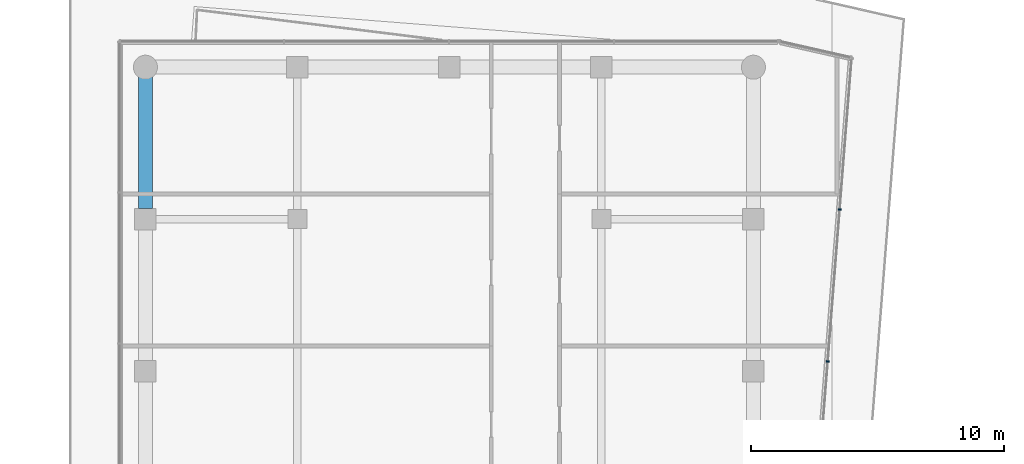
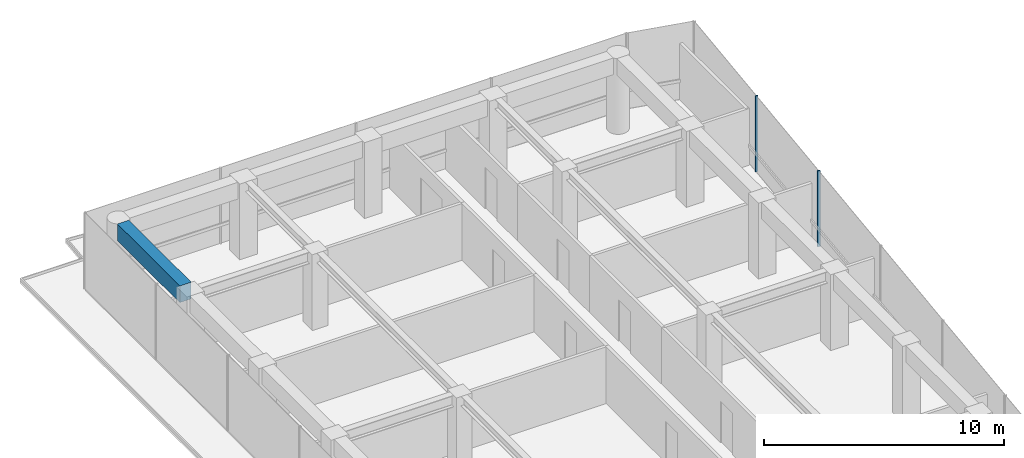
# One storey, part 15 of 22: 2 members, 1 beam, 1 element without a shape of its own.
"""IFC4 building model written with IfcOpenShell, lengths in metres."""

import ifcopenshell
import ifcopenshell.guid

model = None  # the IFC model being written
_history = None  # IfcOwnerHistory: only IFC2X3 demands one
_inside = {}  # id of a spatial element -> (the spatial element, [elements in it])
_under = {}  # id of a project, library or spatial element -> (it, [spatial elements below it])
_declared = {}  # id of a project -> (the project, [libraries it declares])
_typed = {}  # id of a type object -> (the type object, [elements of that type])
_made_of = {}  # id of a material, layer set ... -> (it, [elements and type objects made of it])


def new_model(schema):
    """Start an empty IFC model of exactly this schema.

    Asked for "IFC4X3", IfcOpenShell would pick the latest addendum, in which some entities
    have other attributes; the version numbers below select the first issue.
    IFC2X3 requires an IfcOwnerHistory on every rooted entity: one is made here for all.
    """
    global model, _history
    if schema == "IFC4X3":
        model = ifcopenshell.file(schema_version=(4, 3, 0, 0))
    else:
        model = ifcopenshell.file(schema=schema)
    _inside.clear()
    _under.clear()
    _declared.clear()
    _typed.clear()
    _made_of.clear()
    _history = None
    if model.schema == "IFC2X3":
        org = make("IfcOrganization", Name="unknown")
        user = make(
            "IfcPersonAndOrganization",
            ThePerson=make("IfcPerson", FamilyName="unknown"),
            TheOrganization=org,
        )
        app = make(
            "IfcApplication",
            ApplicationDeveloper=org,
            Version="unknown",
            ApplicationFullName="unknown",
            ApplicationIdentifier="unknown",
        )
        _history = make(
            "IfcOwnerHistory",
            OwningUser=user,
            OwningApplication=app,
            ChangeAction="ADDED",
            CreationDate=0,
        )
    return model


def make(cls, **values):
    """One entity of the class cls with the attributes given. An attribute that is None is left unset."""
    return model.create_entity(
        cls, **{name: value for name, value in values.items() if value is not None}
    )


def rooted(cls, **values):
    """An entity with a GlobalId (a new one), such as an element, a storey or a relation."""
    return make(cls, GlobalId=ifcopenshell.guid.new(), OwnerHistory=_history, **values)


def si_unit(unit_type, name, prefix=None):
    """IfcSIUnit, for example si_unit("LENGTHUNIT", "METRE", prefix="MILLI")."""
    return make("IfcSIUnit", UnitType=unit_type, Prefix=prefix, Name=name)


def assignment(units):
    """IfcUnitAssignment: the units of a project."""
    return None if units is None else make("IfcUnitAssignment", Units=units)


def point(xyz):
    """IfcCartesianPoint."""
    return None if xyz is None else make("IfcCartesianPoint", Coordinates=xyz)


def direction(xyz):
    """IfcDirection."""
    return None if xyz is None else make("IfcDirection", DirectionRatios=xyz)


def frame(location, z_axis=None, x_axis=None):
    """IfcAxis2Placement3D, a coordinate frame: its origin and axes. An axis left out is left unset."""
    return make(
        "IfcAxis2Placement3D",
        Location=point(location),
        Axis=direction(z_axis),
        RefDirection=direction(x_axis),
    )


def frame_2d(location, x_axis=None):
    """IfcAxis2Placement2D, a coordinate frame in the plane: its origin and x axis."""
    return make(
        "IfcAxis2Placement2D", Location=point(location), RefDirection=direction(x_axis)
    )


def origin():
    """The frame at (0, 0, 0) with its axes left unset."""
    return frame((0.0, 0.0, 0.0))


def origin_2d():
    """The frame at (0, 0) in the plane with its x axis left unset."""
    return frame_2d((0.0, 0.0))


def place(relative_to, where):
    """IfcLocalPlacement: puts the frame where relative to a parent placement (None: the world)."""
    return make(
        "IfcLocalPlacement", PlacementRelTo=relative_to, RelativePlacement=where
    )


def context(
    kind, dimensions, precision=None, world=None, true_north=None, identifier=None
):
    """IfcGeometricRepresentationContext, for example the 3D "Model" context."""
    return make(
        "IfcGeometricRepresentationContext",
        ContextIdentifier=identifier,
        ContextType=kind,
        CoordinateSpaceDimension=dimensions,
        Precision=precision,
        WorldCoordinateSystem=world,
        TrueNorth=true_north,
    )


def subcontext(parent, identifier, kind, view, scale=None):
    """IfcGeometricRepresentationSubContext, for example "Body" below "Model"."""
    return make(
        "IfcGeometricRepresentationSubContext",
        ContextIdentifier=identifier,
        ContextType=kind,
        ParentContext=parent,
        TargetScale=scale,
        TargetView=view,
    )


def project(units=None, contexts=None):
    """IfcProject with its units and contexts."""
    return rooted(
        "IfcProject",
        Name="project",
        RepresentationContexts=contexts,
        UnitsInContext=assignment(units),
    )


def spatial(cls, under=None, at=None, **own):
    """A site, building, storey or space (cls), placed at a placement, below another one or the project."""
    s = rooted(cls, ObjectPlacement=at, **own)
    if under is not None:
        _under.setdefault(under.id(), (under, []))[1].append(s)
    return s


def profile(cls, at=None, kind="AREA", **sizes):
    """A parametric profile (cls). Its sizes go by their IFC names, for example OverallWidth=200.0."""
    return make(cls, ProfileType=kind, Position=at, **sizes)


def rectangle(**sizes):
    """IfcRectangleProfileDef."""
    return profile("IfcRectangleProfileDef", **sizes)


def extrude(swept, where, along, depth):
    """IfcExtrudedAreaSolid: the profile swept, set in the frame where, extruded along a direction by depth."""
    return make(
        "IfcExtrudedAreaSolid",
        SweptArea=swept,
        Position=where,
        ExtrudedDirection=direction(along),
        Depth=depth,
    )


def shape(context_of_items, identifier, shape_type, items):
    """IfcShapeRepresentation: the items that make up one representation, for example the "Body"."""
    return make(
        "IfcShapeRepresentation",
        ContextOfItems=context_of_items,
        RepresentationIdentifier=identifier,
        RepresentationType=shape_type,
        Items=items,
    )


def material(Name=None, Category=None):
    """IfcMaterial."""
    return make("IfcMaterial", Name=Name, Category=Category)


def layer(
    of_material, thickness, ventilated=None, Name=None, Category=None, Priority=None
):
    """IfcMaterialLayer: one layer of a wall or slab, of a material (None: an air gap)."""
    return make(
        "IfcMaterialLayer",
        Material=of_material,
        LayerThickness=thickness,
        IsVentilated=ventilated,
        Name=Name,
        Category=Category,
        Priority=Priority,
    )


def layer_set(layers, Name=None):
    """IfcMaterialLayerSet."""
    return make("IfcMaterialLayerSet", MaterialLayers=layers, LayerSetName=Name)


def material_profile(
    of_material, cross_section, Name=None, Category=None, Priority=None
):
    """IfcMaterialProfile: a cross section and its material."""
    return make(
        "IfcMaterialProfile",
        Name=Name,
        Material=of_material,
        Profile=cross_section,
        Priority=Priority,
        Category=Category,
    )


def profile_set(profiles, Name=None, composite=None):
    """IfcMaterialProfileSet."""
    return make(
        "IfcMaterialProfileSet",
        Name=Name,
        MaterialProfiles=profiles,
        CompositeProfile=composite,
    )


def made_of(thing, what):
    """Note that an element or type object is made of a material, layer set ...; save() writes the relation."""
    if what is not None:
        _made_of.setdefault(what.id(), (what, []))[1].append(thing)
    return thing


def type_object(cls, material=None, **own):
    """A type object (cls), such as IfcWallType, which elements share."""
    return made_of(rooted(cls, **own), material)


def element(
    cls,
    number,
    at=None,
    inside=None,
    cuts=None,
    type_object=None,
    material=None,
    context=None,
    identifier="Body",
    shape_type=None,
    held_by="IfcProductDefinitionShape",
    body=None,
    shapes=None,
    **own,
):
    """One element of the class cls, such as IfcWall. Its Tag is "e" and its number.

    at: its placement. inside: the storey or other place that contains it. cuts: it is an
    opening in that element (IfcRelVoidsElement). A single representation is given by context,
    identifier, shape_type and body (its items); several are given by shapes. held_by: the class
    of the entity that holds the representations. save() writes the other relations.
    """
    e = rooted(cls, Tag="e%d" % number, ObjectPlacement=at, **own)
    if body is not None:
        shapes = [shape(context, identifier, shape_type, body)]
    if shapes is not None:
        e.Representation = make(held_by, Representations=shapes)
    if inside is not None:
        _inside.setdefault(inside.id(), (inside, []))[1].append(e)
    if cuts is not None:
        rooted(
            "IfcRelVoidsElement", RelatingBuildingElement=cuts, RelatedOpeningElement=e
        )
    if type_object is not None:
        _typed.setdefault(type_object.id(), (type_object, []))[1].append(e)
    return made_of(e, material)


def aggregate(whole, parts):
    """IfcRelAggregates: a whole, such as a stair, and the parts it consists of."""
    return rooted("IfcRelAggregates", RelatingObject=whole, RelatedObjects=parts)


def save(model, path):
    """Write the relations noted so far, then the file.

    IfcRelAggregates (storeys below a building ...), IfcRelContainedInSpatialStructure (elements
    in a storey), IfcRelDefinesByType, IfcRelAssociatesMaterial and IfcRelDeclares: one each for
    every whole, place, type object, material and project.
    """
    for whole, parts in _under.values():
        aggregate(whole, parts)
    for where, things in _inside.values():
        rooted(
            "IfcRelContainedInSpatialStructure",
            RelatedElements=things,
            RelatingStructure=where,
        )
    for kind, things in _typed.values():
        rooted("IfcRelDefinesByType", RelatedObjects=things, RelatingType=kind)
    for what, things in _made_of.values():
        rooted("IfcRelAssociatesMaterial", RelatedObjects=things, RelatingMaterial=what)
    for by, libraries in _declared.values():
        rooted("IfcRelDeclares", RelatingContext=by, RelatedDefinitions=libraries)
    model.write(path)


model = new_model("IFC4")

# Units and contexts
model_context = context("Model", 3, precision=1e-05, world=origin(), true_north=direction((0.0, 1.0)))
body_context = subcontext(model_context, "Body", "Model", "MODEL_VIEW")
ifc_project = project(units=[si_unit("LENGTHUNIT", "METRE"), si_unit("AREAUNIT", "SQUARE_METRE"), si_unit("VOLUMEUNIT", "CUBIC_METRE"), si_unit("PLANEANGLEUNIT", "RADIAN"), si_unit("MASSUNIT", "GRAM", prefix="KILO")], contexts=[model_context])

# Site, building, storey
site_placement = place(None, origin())
site = spatial("IfcSite", under=ifc_project, at=site_placement, CompositionType="ELEMENT")
building_placement = place(site_placement, origin())
building = spatial("IfcBuilding", under=site, at=building_placement, Name="Welwitschia Terrace Campus", CompositionType="ELEMENT")
storey_placement = place(building_placement, frame((0.0, 0.0, 150.800048828125)))
storey = spatial("IfcBuildingStorey", under=building, at=storey_placement, Name="L33", CompositionType="ELEMENT", Elevation=150.800048828125)

# Curtain wall, members
ifc_material_1 = material(Name="Bronze anodised aluminium", Category="aluminium")
ifc_layer = layer(ifc_material_1, 0.1201171875)
ifc_layer_set = layer_set([ifc_layer], Name="Bronze anodised aluminium")
curtain_wall_type = type_object("IfcCurtainWallType", Name="Curtain wall CW2 tower 6000", PredefinedType="NOTDEFINED", material=ifc_layer_set)
curtain_wall_placement = place(storey_placement, origin())
curtain_wall = element("IfcCurtainWall", 1, at=curtain_wall_placement, inside=storey, type_object=curtain_wall_type, Name="CW L33.9.0", PredefinedType="NOTDEFINED")
ifc_material_2 = material(Name="Bronze anodised aluminium", Category="aluminium")
ifc_material_profile_1 = material_profile(ifc_material_2, rectangle(XDim=0.1201171875, YDim=0.06005859375, at=origin_2d()))
ifc_profile_set_1 = profile_set([ifc_material_profile_1], Name="Bronze anodised aluminium")
member_type = type_object("IfcMemberType", Name="Mullion 60x120", PredefinedType="MULLION", material=ifc_profile_set_1)
member_1_placement = place(storey_placement, frame((26.93505859375, 50.388427734375, 0.0), z_axis=(0.0, 0.0, 1.0), x_axis=(-0.996917333733, 0.078459095728, 0.0)))
member_1 = element("IfcMember", 2, at=member_1_placement, type_object=member_type, Name="Mullion L33.9.0.4", PredefinedType="MULLION", context=body_context, shape_type="SweptSolid", body=[
    extrude(rectangle(XDim=0.1201171875, YDim=0.06005859375, at=origin_2d()), origin(), (0.0, 0.0, 1.0), 3.849853515625),
])
member_2_placement = place(storey_placement, frame((27.406982421875, 56.383544921875, 0.0), z_axis=(0.0, 0.0, 1.0), x_axis=(-0.996917333733, 0.078459095728, 0.0)))
member_2 = element("IfcMember", 3, at=member_2_placement, type_object=member_type, Name="Mullion L33.9.0.5", PredefinedType="MULLION", context=body_context, shape_type="SweptSolid", body=[
    extrude(rectangle(XDim=0.1201171875, YDim=0.06005859375, at=origin_2d()), origin(), (0.0, 0.0, 1.0), 3.849853515625),
])
aggregate(curtain_wall, [member_1, member_2])

# Beam
ifc_material_3 = material(Name="Concrete C50/60", Category="concrete")
ifc_material_profile_2 = material_profile(ifc_material_3, rectangle(XDim=0.550048828125, YDim=0.85009765625, at=origin_2d()))
ifc_profile_set_2 = profile_set([ifc_material_profile_2], Name="Concrete C50/60")
beam_type = type_object("IfcBeamType", Name="Ring spandrel 550x850", PredefinedType="SPANDREL", material=ifc_profile_set_2)
beam_placement = place(storey_placement, frame((0.0, 61.612060546875, 3.425048828125), z_axis=(0.0, -1.0, 0.0), x_axis=(1.0, 0.0, 0.0)))
element("IfcBeam", 4, at=beam_placement, inside=storey, type_object=beam_type, Name="Spandrel SP3", PredefinedType="SPANDREL", context=body_context, shape_type="SweptSolid", body=[
    extrude(rectangle(XDim=0.550048828125, YDim=0.85009765625, at=origin_2d()), origin(), (0.0, 0.0, 1.0), 5.1865234375),
])

save(model, "model.ifc")
